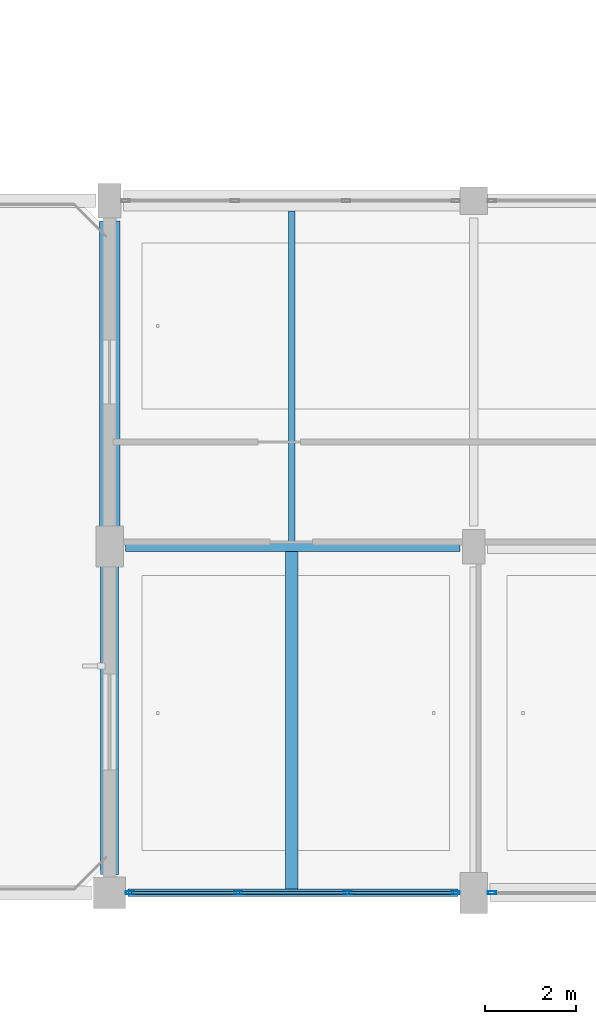
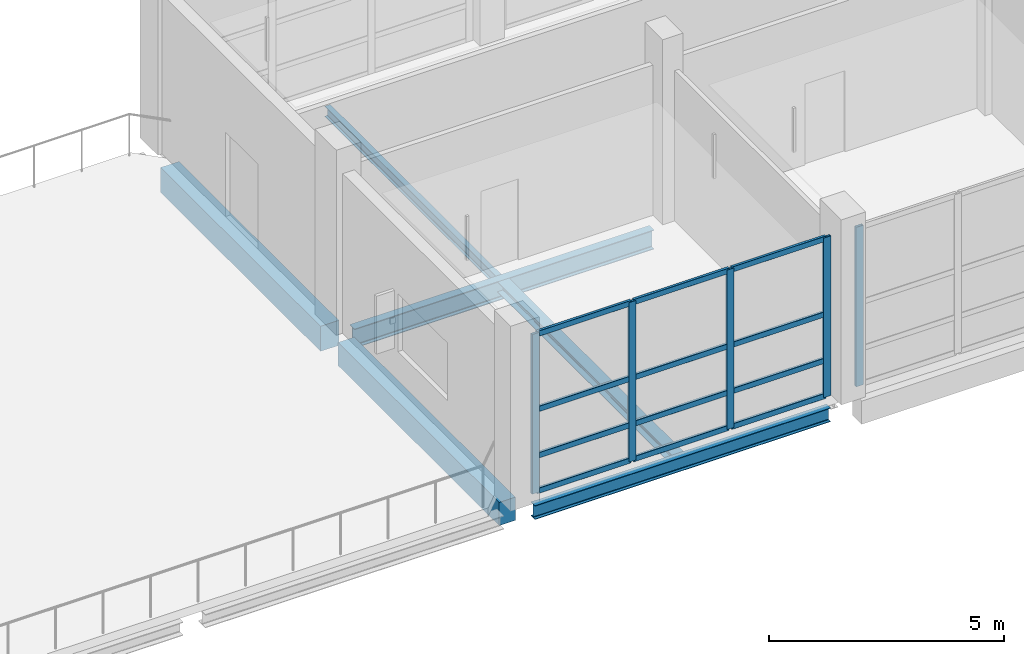
# One storey, part 19 of 107: 17 members, 6 beams, 2 elements without a shape of their own.
"""IFC4 building model written with IfcOpenShell, lengths in metres."""

from ifc_helpers import new_model, si_unit, direction, frame, origin, origin_2d, place, context, subcontext, project, spatial, rectangle, hollow_rectangle, i_section, extrude, material, material_profile, profile_set, type_object, element, aggregate, save


model = new_model("IFC4")

# Units and contexts
model_context = context("Model", 3, precision=1e-05, world=origin(), true_north=direction((0.0, 1.0)))
body_context = subcontext(model_context, "Body", "Model", "MODEL_VIEW")
ifc_project = project(units=[si_unit("LENGTHUNIT", "METRE"), si_unit("AREAUNIT", "SQUARE_METRE"), si_unit("VOLUMEUNIT", "CUBIC_METRE"), si_unit("PLANEANGLEUNIT", "RADIAN"), si_unit("MASSUNIT", "GRAM", prefix="KILO")], contexts=[model_context])

# Site, building, storey
site_placement = place(None, origin())
site = spatial("IfcSite", under=ifc_project, at=site_placement, CompositionType="ELEMENT")
building_placement = place(site_placement, origin())
building = spatial("IfcBuilding", under=site, at=building_placement, Name="Khelvaren Railside Concert Hall", CompositionType="ELEMENT")
storey_placement = place(building_placement, frame((0.0, 0.0, 15.0)))
storey = spatial("IfcBuildingStorey", under=building, at=storey_placement, Name="L03", CompositionType="ELEMENT", Elevation=15.0)

# Beam
ifc_material_1 = material(Name="Steel S355", Category="steel")
ifc_material_profile_1 = material_profile(ifc_material_1, i_section(OverallWidth=0.199951171875, OverallDepth=0.5, WebThickness=0.01025390625, FlangeThickness=0.01611328125, FilletRadius=0.02099609375, at=origin_2d()), Name="IPE 500")
ifc_profile_set_1 = profile_set([ifc_material_profile_1], Name="Steel S355")
beam_type_1 = type_object("IfcBeamType", Name="BM62", PredefinedType="BEAM", material=ifc_profile_set_1)
beam_1_placement = place(storey_placement, frame((104.35009765625, 7.60009765625, -0.530029296875), z_axis=(1.0, 0.0, 0.0), x_axis=(0.0, 1.0, 0.0)))
element("IfcBeam", 1, at=beam_1_placement, inside=storey, type_object=beam_type_1, Name="V3 L03 Beam X2.6", PredefinedType="BEAM", context=body_context, shape_type="SweptSolid", body=[
    extrude(i_section(OverallWidth=0.199951171875, OverallDepth=0.5, WebThickness=0.01025390625, FlangeThickness=0.01611328125, FilletRadius=0.02099609375, at=origin_2d()), origin(), (0.0, 0.0, 1.0), 7.349853515625),
])

# Curtain wall, members
ifc_material_2 = material(Name="Double-glazed low-E dark acoustic glass", Category="glass")
curtain_wall_type_1 = type_object("IfcCurtainWallType", Name="CW94", PredefinedType="USERDEFINED", material=ifc_material_2)
curtain_wall_1_placement = place(storey_placement, origin())
curtain_wall_1 = element("IfcCurtainWall", 2, at=curtain_wall_1_placement, inside=storey, type_object=curtain_wall_type_1, Name="Unitised Curtain Wall CW-V3-L03-S-104", ObjectType="UNITISED CURTAIN WALL", PredefinedType="USERDEFINED")
ifc_material_3 = material(Name="Anodised architectural aluminium 6063-T6", Category="aluminium")
ifc_material_profile_2 = material_profile(ifc_material_3, hollow_rectangle(XDim=0.06494140625, YDim=0.179931640625, WallThickness=0.00390625, InnerFilletRadius=0.001953125, OuterFilletRadius=0.00390625, at=origin_2d()), Name="CWM 65x180x4")
ifc_profile_set_2 = profile_set([ifc_material_profile_2], Name="Anodised architectural aluminium 6063-T6")
member_type_1 = type_object("IfcMemberType", Name="CWM63", PredefinedType="MULLION", material=ifc_profile_set_2)
member_1_placement = place(storey_placement, frame((111.60009765625, 0.0, 0.0), z_axis=(0.0, 0.0, 1.0), x_axis=(0.0, -1.0, 0.0)))
member_1 = element("IfcMember", 3, at=member_1_placement, type_object=member_type_1, Name="CW94 mullion 1", PredefinedType="MULLION", context=body_context, shape_type="SweptSolid", body=[
    extrude(hollow_rectangle(XDim=0.06494140625, YDim=0.179931640625, WallThickness=0.00390625, InnerFilletRadius=0.001953125, OuterFilletRadius=0.00390625, at=origin_2d()), origin(), (0.0, 0.0, 1.0), 4.139892578125),
])
member_2_placement = place(storey_placement, frame((109.2275390625, 0.0, 0.0), z_axis=(0.0, 0.0, 1.0), x_axis=(0.0, -1.0, 0.0)))
member_2 = element("IfcMember", 4, at=member_2_placement, type_object=member_type_1, Name="CW94 mullion 2", PredefinedType="MULLION", context=body_context, shape_type="SweptSolid", body=[
    extrude(hollow_rectangle(XDim=0.06494140625, YDim=0.179931640625, WallThickness=0.00390625, InnerFilletRadius=0.001953125, OuterFilletRadius=0.00390625, at=origin_2d()), origin(), (0.0, 0.0, 1.0), 4.139892578125),
])
member_3_placement = place(storey_placement, frame((106.822509765625, 0.0, 0.0), z_axis=(0.0, 0.0, 1.0), x_axis=(0.0, -1.0, 0.0)))
member_3 = element("IfcMember", 5, at=member_3_placement, type_object=member_type_1, Name="CW94 mullion 3", PredefinedType="MULLION", context=body_context, shape_type="SweptSolid", body=[
    extrude(hollow_rectangle(XDim=0.06494140625, YDim=0.179931640625, WallThickness=0.00390625, InnerFilletRadius=0.001953125, OuterFilletRadius=0.00390625, at=origin_2d()), origin(), (0.0, 0.0, 1.0), 4.139892578125),
])
member_4_placement = place(storey_placement, frame((104.449951171875, 0.0, 0.0), z_axis=(0.0, 0.0, 1.0), x_axis=(0.0, -1.0, 0.0)))
member_4 = element("IfcMember", 6, at=member_4_placement, type_object=member_type_1, Name="CW94 mullion 4", PredefinedType="MULLION", context=body_context, shape_type="SweptSolid", body=[
    extrude(hollow_rectangle(XDim=0.06494140625, YDim=0.179931640625, WallThickness=0.00390625, InnerFilletRadius=0.001953125, OuterFilletRadius=0.00390625, at=origin_2d()), origin(), (0.0, 0.0, 1.0), 4.139892578125),
])

# Curtain wall, member
curtain_wall_type_2 = type_object("IfcCurtainWallType", Name="CW65", PredefinedType="USERDEFINED", material=ifc_material_2)
curtain_wall_2_placement = place(storey_placement, origin())
curtain_wall_2 = element("IfcCurtainWall", 7, at=curtain_wall_2_placement, inside=storey, type_object=curtain_wall_type_2, Name="Unitised Curtain Wall CW-V3-L03-S-112", ObjectType="UNITISED CURTAIN WALL", PredefinedType="USERDEFINED")
member_5_placement = place(storey_placement, frame((112.39990234375, 0.0, 0.0), z_axis=(0.0, 0.0, 1.0), x_axis=(0.0, -1.0, 0.0)))
member_5 = element("IfcMember", 8, at=member_5_placement, type_object=member_type_1, Name="CW65 mullion 4", PredefinedType="MULLION", context=body_context, shape_type="SweptSolid", body=[
    extrude(hollow_rectangle(XDim=0.06494140625, YDim=0.179931640625, WallThickness=0.00390625, InnerFilletRadius=0.001953125, OuterFilletRadius=0.00390625, at=origin_2d()), origin(), (0.0, 0.0, 1.0), 4.139892578125),
])
aggregate(curtain_wall_2, [member_5])

# Member
ifc_material_profile_3 = material_profile(ifc_material_3, hollow_rectangle(XDim=0.06494140625, YDim=0.139892578125, WallThickness=0.00390625, InnerFilletRadius=0.001953125, OuterFilletRadius=0.00390625, at=origin_2d()), Name="CWT 65x140x4")
ifc_profile_set_3 = profile_set([ifc_material_profile_3], Name="Anodised architectural aluminium 6063-T6")
member_type_2 = type_object("IfcMemberType", Name="CWT72", PredefinedType="USERDEFINED", material=ifc_profile_set_3)
member_6_placement = place(storey_placement, frame((111.5673828125, 0.0, 0.032470703125), z_axis=(-1.0, 0.0, 0.0), x_axis=(0.0, -1.0, 0.0)))
member_6 = element("IfcMember", 9, at=member_6_placement, type_object=member_type_2, Name="CW94 transom 1.1", ObjectType="TRANSOM", PredefinedType="USERDEFINED", context=body_context, shape_type="SweptSolid", body=[
    extrude(hollow_rectangle(XDim=0.06494140625, YDim=0.139892578125, WallThickness=0.00390625, InnerFilletRadius=0.001953125, OuterFilletRadius=0.00390625, at=origin_2d()), origin(), (0.0, 0.0, 1.0), 2.307373046875),
])

member_7_placement = place(storey_placement, frame((111.5673828125, 0.0, 0.949951171875), z_axis=(-1.0, 0.0, 0.0), x_axis=(0.0, -1.0, 0.0)))
member_7 = element("IfcMember", 10, at=member_7_placement, type_object=member_type_2, Name="CW94 transom 1.2", ObjectType="TRANSOM", PredefinedType="USERDEFINED", context=body_context, shape_type="SweptSolid", body=[
    extrude(hollow_rectangle(XDim=0.06494140625, YDim=0.139892578125, WallThickness=0.00390625, InnerFilletRadius=0.001953125, OuterFilletRadius=0.00390625, at=origin_2d()), origin(), (0.0, 0.0, 1.0), 2.307373046875),
])

member_8_placement = place(storey_placement, frame((111.5673828125, 0.0, 2.15283203125), z_axis=(-1.0, 0.0, 0.0), x_axis=(0.0, -1.0, 0.0)))
member_8 = element("IfcMember", 11, at=member_8_placement, type_object=member_type_2, Name="CW94 transom 1.3", ObjectType="TRANSOM", PredefinedType="USERDEFINED", context=body_context, shape_type="SweptSolid", body=[
    extrude(hollow_rectangle(XDim=0.06494140625, YDim=0.139892578125, WallThickness=0.00390625, InnerFilletRadius=0.001953125, OuterFilletRadius=0.00390625, at=origin_2d()), origin(), (0.0, 0.0, 1.0), 2.307373046875),
])

member_9_placement = place(storey_placement, frame((111.5673828125, 0.0, 4.107421875), z_axis=(-1.0, 0.0, 0.0), x_axis=(0.0, -1.0, 0.0)))
member_9 = element("IfcMember", 12, at=member_9_placement, type_object=member_type_2, Name="CW94 transom 1.4", ObjectType="TRANSOM", PredefinedType="USERDEFINED", context=body_context, shape_type="SweptSolid", body=[
    extrude(hollow_rectangle(XDim=0.06494140625, YDim=0.139892578125, WallThickness=0.00390625, InnerFilletRadius=0.001953125, OuterFilletRadius=0.00390625, at=origin_2d()), origin(), (0.0, 0.0, 1.0), 2.307373046875),
])

member_10_placement = place(storey_placement, frame((109.195068359375, 0.0, 0.032470703125), z_axis=(-1.0, 0.0, 0.0), x_axis=(0.0, -1.0, 0.0)))
member_10 = element("IfcMember", 13, at=member_10_placement, type_object=member_type_2, Name="CW94 transom 2.1", ObjectType="TRANSOM", PredefinedType="USERDEFINED", context=body_context, shape_type="SweptSolid", body=[
    extrude(hollow_rectangle(XDim=0.06494140625, YDim=0.139892578125, WallThickness=0.00390625, InnerFilletRadius=0.001953125, OuterFilletRadius=0.00390625, at=origin_2d()), origin(), (0.0, 0.0, 1.0), 2.340087890625),
])

member_11_placement = place(storey_placement, frame((109.195068359375, 0.0, 0.949951171875), z_axis=(-1.0, 0.0, 0.0), x_axis=(0.0, -1.0, 0.0)))
member_11 = element("IfcMember", 14, at=member_11_placement, type_object=member_type_2, Name="CW94 transom 2.2", ObjectType="TRANSOM", PredefinedType="USERDEFINED", context=body_context, shape_type="SweptSolid", body=[
    extrude(hollow_rectangle(XDim=0.06494140625, YDim=0.139892578125, WallThickness=0.00390625, InnerFilletRadius=0.001953125, OuterFilletRadius=0.00390625, at=origin_2d()), origin(), (0.0, 0.0, 1.0), 2.340087890625),
])

member_12_placement = place(storey_placement, frame((109.195068359375, 0.0, 2.15283203125), z_axis=(-1.0, 0.0, 0.0), x_axis=(0.0, -1.0, 0.0)))
member_12 = element("IfcMember", 15, at=member_12_placement, type_object=member_type_2, Name="CW94 transom 2.3", ObjectType="TRANSOM", PredefinedType="USERDEFINED", context=body_context, shape_type="SweptSolid", body=[
    extrude(hollow_rectangle(XDim=0.06494140625, YDim=0.139892578125, WallThickness=0.00390625, InnerFilletRadius=0.001953125, OuterFilletRadius=0.00390625, at=origin_2d()), origin(), (0.0, 0.0, 1.0), 2.340087890625),
])

member_13_placement = place(storey_placement, frame((109.195068359375, 0.0, 4.107421875), z_axis=(-1.0, 0.0, 0.0), x_axis=(0.0, -1.0, 0.0)))
member_13 = element("IfcMember", 16, at=member_13_placement, type_object=member_type_2, Name="CW94 transom 2.4", ObjectType="TRANSOM", PredefinedType="USERDEFINED", context=body_context, shape_type="SweptSolid", body=[
    extrude(hollow_rectangle(XDim=0.06494140625, YDim=0.139892578125, WallThickness=0.00390625, InnerFilletRadius=0.001953125, OuterFilletRadius=0.00390625, at=origin_2d()), origin(), (0.0, 0.0, 1.0), 2.340087890625),
])

member_14_placement = place(storey_placement, frame((106.7900390625, 0.0, 0.032470703125), z_axis=(-1.0, 0.0, 0.0), x_axis=(0.0, -1.0, 0.0)))
member_14 = element("IfcMember", 17, at=member_14_placement, type_object=member_type_2, Name="CW94 transom 3.1", ObjectType="TRANSOM", PredefinedType="USERDEFINED", context=body_context, shape_type="SweptSolid", body=[
    extrude(hollow_rectangle(XDim=0.06494140625, YDim=0.139892578125, WallThickness=0.00390625, InnerFilletRadius=0.001953125, OuterFilletRadius=0.00390625, at=origin_2d()), origin(), (0.0, 0.0, 1.0), 2.3076171875),
])

member_15_placement = place(storey_placement, frame((106.7900390625, 0.0, 0.949951171875), z_axis=(-1.0, 0.0, 0.0), x_axis=(0.0, -1.0, 0.0)))
member_15 = element("IfcMember", 18, at=member_15_placement, type_object=member_type_2, Name="CW94 transom 3.2", ObjectType="TRANSOM", PredefinedType="USERDEFINED", context=body_context, shape_type="SweptSolid", body=[
    extrude(hollow_rectangle(XDim=0.06494140625, YDim=0.139892578125, WallThickness=0.00390625, InnerFilletRadius=0.001953125, OuterFilletRadius=0.00390625, at=origin_2d()), origin(), (0.0, 0.0, 1.0), 2.3076171875),
])

member_16_placement = place(storey_placement, frame((106.7900390625, 0.0, 2.15283203125), z_axis=(-1.0, 0.0, 0.0), x_axis=(0.0, -1.0, 0.0)))
member_16 = element("IfcMember", 19, at=member_16_placement, type_object=member_type_2, Name="CW94 transom 3.3", ObjectType="TRANSOM", PredefinedType="USERDEFINED", context=body_context, shape_type="SweptSolid", body=[
    extrude(hollow_rectangle(XDim=0.06494140625, YDim=0.139892578125, WallThickness=0.00390625, InnerFilletRadius=0.001953125, OuterFilletRadius=0.00390625, at=origin_2d()), origin(), (0.0, 0.0, 1.0), 2.3076171875),
])

member_17_placement = place(storey_placement, frame((106.7900390625, 0.0, 4.107421875), z_axis=(-1.0, 0.0, 0.0), x_axis=(0.0, -1.0, 0.0)))
member_17 = element("IfcMember", 20, at=member_17_placement, type_object=member_type_2, Name="CW94 transom 3.4", ObjectType="TRANSOM", PredefinedType="USERDEFINED", context=body_context, shape_type="SweptSolid", body=[
    extrude(hollow_rectangle(XDim=0.06494140625, YDim=0.139892578125, WallThickness=0.00390625, InnerFilletRadius=0.001953125, OuterFilletRadius=0.00390625, at=origin_2d()), origin(), (0.0, 0.0, 1.0), 2.3076171875),
])

aggregate(curtain_wall_1, [member_1, member_2, member_3, member_4, member_6, member_7, member_8, member_9, member_10, member_11, member_12, member_13, member_14, member_15, member_16, member_17])

# Beams
ifc_material_profile_4 = material_profile(ifc_material_1, i_section(OverallWidth=0.280029296875, OverallDepth=0.27001953125, WebThickness=0.008056640625, FlangeThickness=0.012939453125, FilletRadius=0.02392578125, at=origin_2d()), Name="HEA 280")
ifc_profile_set_4 = profile_set([ifc_material_profile_4], Name="Steel S355")
beam_type_2 = type_object("IfcBeamType", Name="JS46", PredefinedType="JOIST", material=ifc_profile_set_4)
beam_2_placement = place(storey_placement, frame((108.0, 0.0849609375, -0.4150390625), z_axis=(0.0, 1.0, 0.0), x_axis=(-1.0, 0.0, 0.0)))
element("IfcBeam", 21, at=beam_2_placement, inside=storey, type_object=beam_type_2, Name="V3 L03 Secondary Joist 6.1", PredefinedType="JOIST", context=body_context, shape_type="SweptSolid", body=[
    extrude(i_section(OverallWidth=0.280029296875, OverallDepth=0.27001953125, WebThickness=0.008056640625, FlangeThickness=0.012939453125, FilletRadius=0.02392578125, at=origin_2d()), origin(), (0.0, 0.0, 1.0), 7.4150390625),
])
ifc_material_profile_5 = material_profile(ifc_material_1, i_section(OverallWidth=0.135009765625, OverallDepth=0.27001953125, WebThickness=0.006591796875, FlangeThickness=0.01025390625, FilletRadius=0.014892578125, at=origin_2d()), Name="IPE 270")
ifc_profile_set_5 = profile_set([ifc_material_profile_5], Name="Steel S355")
beam_type_3 = type_object("IfcBeamType", Name="JS78", PredefinedType="JOIST", material=ifc_profile_set_5)
beam_3_placement = place(storey_placement, frame((108.0, 7.699951171875, -0.4150390625), z_axis=(0.0, 1.0, 0.0), x_axis=(-1.0, 0.0, 0.0)))
element("IfcBeam", 22, at=beam_3_placement, inside=storey, type_object=beam_type_3, Name="V3 L03 Secondary Joist 6.2", PredefinedType="JOIST", context=body_context, shape_type="SweptSolid", body=[
    extrude(i_section(OverallWidth=0.135009765625, OverallDepth=0.27001953125, WebThickness=0.006591796875, FlangeThickness=0.01025390625, FilletRadius=0.014892578125, at=origin_2d()), origin(), (0.0, 0.0, 1.0), 7.275146484375),
])
ifc_material_4 = material(Name="Concrete C40/50", Category="concrete")
ifc_material_profile_6 = material_profile(ifc_material_4, rectangle(XDim=0.449951171875, YDim=0.64990234375, at=origin_2d()), Name="RCB 450x650")
ifc_profile_set_6 = profile_set([ifc_material_profile_6], Name="Concrete C40/50")
beam_type_4 = type_object("IfcBeamType", Name="SP34", PredefinedType="SPANDREL", material=ifc_profile_set_6)
beam_4_placement = place(storey_placement, frame((104.0, 7.949951171875, -0.60498046875), z_axis=(0.0, 1.0, 0.0), x_axis=(-1.0, 0.0, 0.0)))
element("IfcBeam", 23, at=beam_4_placement, inside=storey, type_object=beam_type_4, Name="V3 L03 Spandrel Y6.2", PredefinedType="SPANDREL", context=body_context, shape_type="SweptSolid", body=[
    extrude(rectangle(XDim=0.449951171875, YDim=0.64990234375, at=origin_2d()), origin(), (0.0, 0.0, 1.0), 6.800048828125),
])
ifc_material_profile_7 = material_profile(ifc_material_1, i_section(OverallWidth=0.169921875, OverallDepth=0.360107421875, WebThickness=0.008056640625, FlangeThickness=0.0126953125, FilletRadius=0.01806640625, at=origin_2d()), Name="IPE 360")
ifc_profile_set_7 = profile_set([ifc_material_profile_7], Name="Steel S355")
beam_type_5 = type_object("IfcBeamType", Name="SP74", PredefinedType="SPANDREL", material=ifc_profile_set_7)
beam_5_placement = place(storey_placement, frame((104.39990234375, 0.0, -0.4599609375), z_axis=(1.0, 0.0, 0.0), x_axis=(0.0, 1.0, 0.0)))
element("IfcBeam", 24, at=beam_5_placement, inside=storey, type_object=beam_type_5, Name="V3 L03 Spandrel X1.6", PredefinedType="SPANDREL", context=body_context, shape_type="SweptSolid", body=[
    extrude(i_section(OverallWidth=0.169921875, OverallDepth=0.360107421875, WebThickness=0.008056640625, FlangeThickness=0.0126953125, FilletRadius=0.01806640625, at=origin_2d()), origin(), (0.0, 0.0, 1.0), 7.25),
])
ifc_material_profile_8 = material_profile(ifc_material_4, rectangle(XDim=0.39990234375, YDim=0.60009765625, at=origin_2d()), Name="RCB 400x600")
ifc_profile_set_8 = profile_set([ifc_material_profile_8], Name="Concrete C40/50")
beam_type_6 = type_object("IfcBeamType", Name="SP75", PredefinedType="SPANDREL", material=ifc_profile_set_8)
beam_6_placement = place(storey_placement, frame((104.0, 0.39990234375, -0.580078125), z_axis=(0.0, 1.0, 0.0), x_axis=(-1.0, 0.0, 0.0)))
element("IfcBeam", 25, at=beam_6_placement, inside=storey, type_object=beam_type_6, Name="V3 L03 Spandrel Y6.1", PredefinedType="SPANDREL", context=body_context, shape_type="SweptSolid", body=[
    extrude(rectangle(XDim=0.39990234375, YDim=0.60009765625, at=origin_2d()), origin(), (0.0, 0.0, 1.0), 6.85009765625),
])

save(model, "model.ifc")
